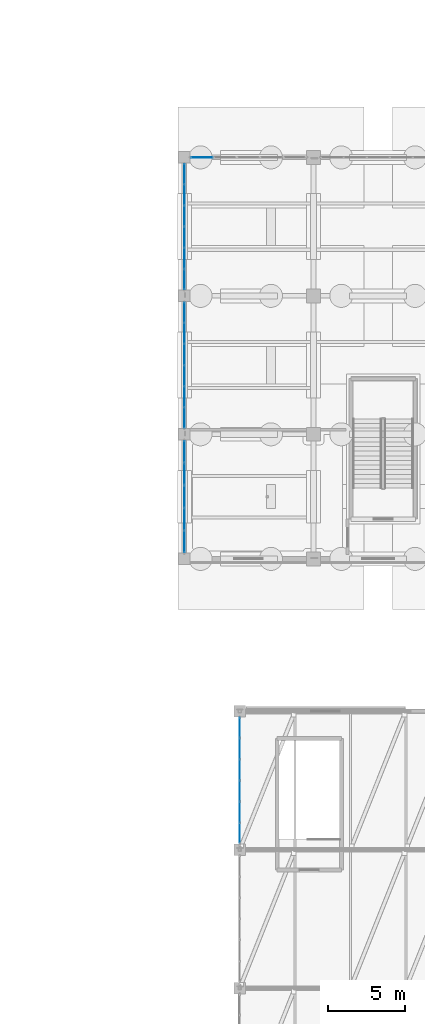
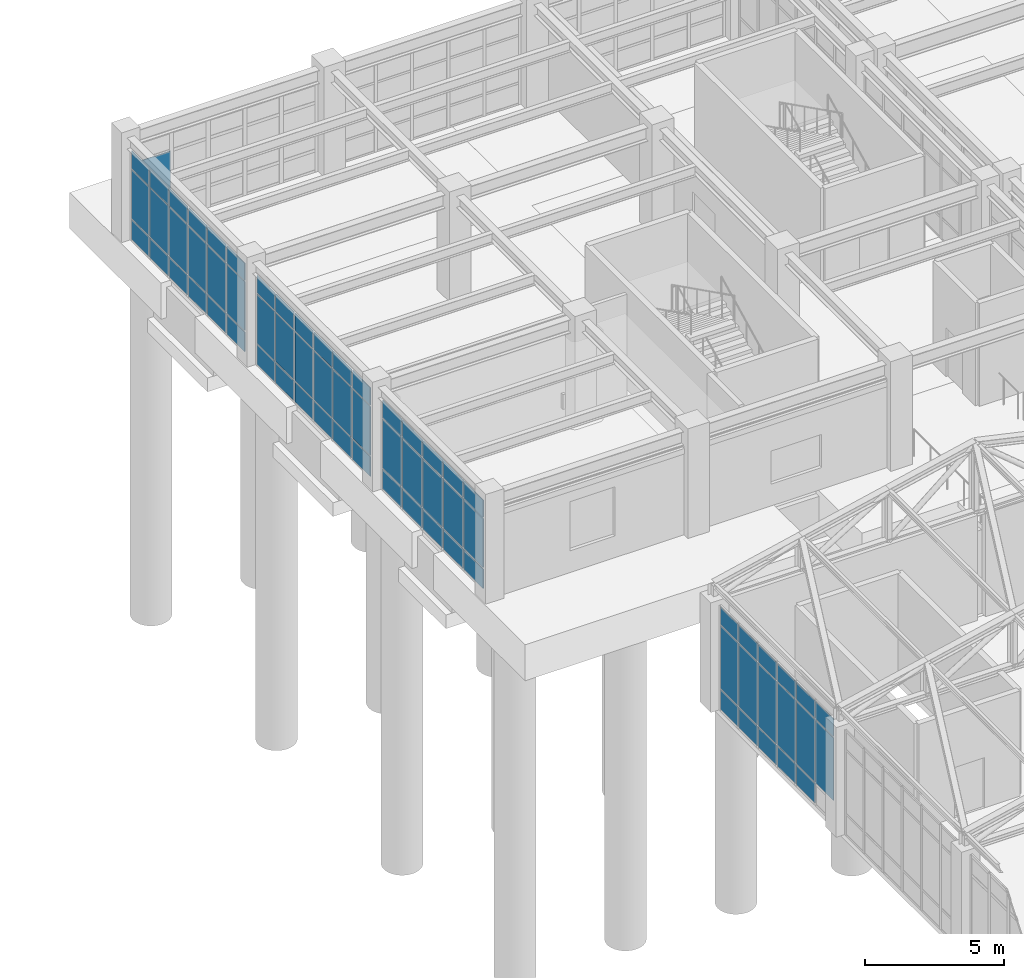
# One storey, part 99 of 139: 70 plates, 5 elements without a shape of their own.
"""IFC4 building model written with IfcOpenShell, lengths in metres."""

from ifc_helpers import new_model, si_unit, direction, frame, origin, origin_2d, place, context, subcontext, project, spatial, rectangle, extrude, material, layer, layer_set, type_object, element, aggregate, save


model = new_model("IFC4")

# Units and contexts
model_context = context("Model", 3, precision=1e-05, world=origin(), true_north=direction((0.0, 1.0)))
body_context = subcontext(model_context, "Body", "Model", "MODEL_VIEW")
ifc_project = project(units=[si_unit("LENGTHUNIT", "METRE"), si_unit("AREAUNIT", "SQUARE_METRE"), si_unit("VOLUMEUNIT", "CUBIC_METRE"), si_unit("PLANEANGLEUNIT", "RADIAN"), si_unit("MASSUNIT", "GRAM", prefix="KILO")], contexts=[model_context])

# Site, building, storey
site_placement = place(None, origin())
site = spatial("IfcSite", under=ifc_project, at=site_placement, CompositionType="ELEMENT")
building_placement = place(site_placement, origin())
building = spatial("IfcBuilding", under=site, at=building_placement, Name="Canglan Escarpment Cableway Terminal", CompositionType="ELEMENT")
storey_placement = place(building_placement, frame((0.0, 0.0, 14.39990234375)))
storey = spatial("IfcBuildingStorey", under=building, at=storey_placement, Name="L03", CompositionType="ELEMENT", Elevation=14.39990234375)

# Curtain wall, plates
ifc_material_1 = material(Name="Anodized bronze aluminium and Low-E double glazing", Category="aluminium")
curtain_wall_type_1 = type_object("IfcCurtainWallType", Name="CW-BAY-8250x4000", PredefinedType="NOTDEFINED", material=ifc_material_1)
curtain_wall_1_placement = place(storey_placement, origin())
curtain_wall_1 = element("IfcCurtainWall", 1, at=curtain_wall_1_placement, inside=storey, type_object=curtain_wall_type_1, Name="Classical bay-between-piers glazed curtain wall CW-48", PredefinedType="NOTDEFINED")
ifc_material_2 = material(Name="Double-silver Low-E laminated insulating glass", Category="glass")
ifc_layer_1 = layer(ifc_material_2, 0.02392578125, Name="Double-silver Low-E laminated insulating glass")
ifc_layer_set_1 = layer_set([ifc_layer_1], Name="Double-silver Low-E laminated insulating glass")
plate_type_1 = type_object("IfcPlateType", Name="CWP-01", PredefinedType="CURTAIN_PANEL", material=ifc_layer_set_1)
plate_1_placement = place(storey_placement, frame((111.5, 104.922607421875, 0.05517578125), z_axis=(0.0, 0.0, 1.0), x_axis=(0.0, -1.0, 0.0)))
plate_1 = element("IfcPlate", 2, at=plate_1_placement, type_object=plate_type_1, Name="CW-48 panel 1.1", PredefinedType="CURTAIN_PANEL", context=body_context, shape_type="SweptSolid", body=[
    extrude(rectangle(XDim=1.284912109375, YDim=0.02392578125, at=origin_2d()), origin(), (0.0, 0.0, 1.0), 0.867431640625),
])
plate_2_placement = place(storey_placement, frame((111.5, 104.922607421875, 0.9775390625), z_axis=(0.0, 0.0, 1.0), x_axis=(0.0, -1.0, 0.0)))
plate_2 = element("IfcPlate", 3, at=plate_2_placement, type_object=plate_type_1, Name="CW-48 panel 1.2", PredefinedType="CURTAIN_PANEL", context=body_context, shape_type="SweptSolid", body=[
    extrude(rectangle(XDim=1.284912109375, YDim=0.02392578125, at=origin_2d()), origin(), (0.0, 0.0, 1.0), 2.14208984375),
])
plate_3_placement = place(storey_placement, frame((111.5, 104.922607421875, 3.174560546875), z_axis=(0.0, 0.0, 1.0), x_axis=(0.0, -1.0, 0.0)))
plate_3 = element("IfcPlate", 4, at=plate_3_placement, type_object=plate_type_1, Name="CW-48 panel 1.3", PredefinedType="CURTAIN_PANEL", context=body_context, shape_type="SweptSolid", body=[
    extrude(rectangle(XDim=1.284912109375, YDim=0.02392578125, at=origin_2d()), origin(), (0.0, 0.0, 1.0), 0.767578125),
])
plate_4_placement = place(storey_placement, frame((111.5, 103.5625, 0.05517578125), z_axis=(0.0, 0.0, 1.0), x_axis=(0.0, -1.0, 0.0)))
plate_4 = element("IfcPlate", 5, at=plate_4_placement, type_object=plate_type_1, Name="CW-48 panel 2.1", PredefinedType="CURTAIN_PANEL", context=body_context, shape_type="SweptSolid", body=[
    extrude(rectangle(XDim=1.31494140625, YDim=0.02392578125, at=origin_2d()), origin(), (0.0, 0.0, 1.0), 0.867431640625),
])
plate_5_placement = place(storey_placement, frame((111.5, 103.5625, 0.9775390625), z_axis=(0.0, 0.0, 1.0), x_axis=(0.0, -1.0, 0.0)))
plate_5 = element("IfcPlate", 6, at=plate_5_placement, type_object=plate_type_1, Name="CW-48 panel 2.2", PredefinedType="CURTAIN_PANEL", context=body_context, shape_type="SweptSolid", body=[
    extrude(rectangle(XDim=1.31494140625, YDim=0.02392578125, at=origin_2d()), origin(), (0.0, 0.0, 1.0), 2.14208984375),
])
plate_6_placement = place(storey_placement, frame((111.5, 103.5625, 3.174560546875), z_axis=(0.0, 0.0, 1.0), x_axis=(0.0, -1.0, 0.0)))
plate_6 = element("IfcPlate", 7, at=plate_6_placement, type_object=plate_type_1, Name="CW-48 panel 2.3", PredefinedType="CURTAIN_PANEL", context=body_context, shape_type="SweptSolid", body=[
    extrude(rectangle(XDim=1.31494140625, YDim=0.02392578125, at=origin_2d()), origin(), (0.0, 0.0, 1.0), 0.767578125),
])
plate_7_placement = place(storey_placement, frame((111.5, 102.1875, 0.05517578125), z_axis=(0.0, 0.0, 1.0), x_axis=(0.0, -1.0, 0.0)))
plate_7 = element("IfcPlate", 8, at=plate_7_placement, type_object=plate_type_1, Name="CW-48 panel 3.1", PredefinedType="CURTAIN_PANEL", context=body_context, shape_type="SweptSolid", body=[
    extrude(rectangle(XDim=1.31494140625, YDim=0.02392578125, at=origin_2d()), origin(), (0.0, 0.0, 1.0), 0.867431640625),
])
plate_8_placement = place(storey_placement, frame((111.5, 102.1875, 0.9775390625), z_axis=(0.0, 0.0, 1.0), x_axis=(0.0, -1.0, 0.0)))
plate_8 = element("IfcPlate", 9, at=plate_8_placement, type_object=plate_type_1, Name="CW-48 panel 3.2", PredefinedType="CURTAIN_PANEL", context=body_context, shape_type="SweptSolid", body=[
    extrude(rectangle(XDim=1.31494140625, YDim=0.02392578125, at=origin_2d()), origin(), (0.0, 0.0, 1.0), 2.14208984375),
])
plate_9_placement = place(storey_placement, frame((111.5, 102.1875, 3.174560546875), z_axis=(0.0, 0.0, 1.0), x_axis=(0.0, -1.0, 0.0)))
plate_9 = element("IfcPlate", 10, at=plate_9_placement, type_object=plate_type_1, Name="CW-48 panel 3.3", PredefinedType="CURTAIN_PANEL", context=body_context, shape_type="SweptSolid", body=[
    extrude(rectangle(XDim=1.31494140625, YDim=0.02392578125, at=origin_2d()), origin(), (0.0, 0.0, 1.0), 0.767578125),
])
plate_10_placement = place(storey_placement, frame((111.5, 100.8125, 0.05517578125), z_axis=(0.0, 0.0, 1.0), x_axis=(0.0, -1.0, 0.0)))
plate_10 = element("IfcPlate", 11, at=plate_10_placement, type_object=plate_type_1, Name="CW-48 panel 4.1", PredefinedType="CURTAIN_PANEL", context=body_context, shape_type="SweptSolid", body=[
    extrude(rectangle(XDim=1.31494140625, YDim=0.02392578125, at=origin_2d()), origin(), (0.0, 0.0, 1.0), 0.867431640625),
])
plate_11_placement = place(storey_placement, frame((111.5, 100.8125, 0.9775390625), z_axis=(0.0, 0.0, 1.0), x_axis=(0.0, -1.0, 0.0)))
plate_11 = element("IfcPlate", 12, at=plate_11_placement, type_object=plate_type_1, Name="CW-48 panel 4.2", PredefinedType="CURTAIN_PANEL", context=body_context, shape_type="SweptSolid", body=[
    extrude(rectangle(XDim=1.31494140625, YDim=0.02392578125, at=origin_2d()), origin(), (0.0, 0.0, 1.0), 2.14208984375),
])
plate_12_placement = place(storey_placement, frame((111.5, 100.8125, 3.174560546875), z_axis=(0.0, 0.0, 1.0), x_axis=(0.0, -1.0, 0.0)))
plate_12 = element("IfcPlate", 13, at=plate_12_placement, type_object=plate_type_1, Name="CW-48 panel 4.3", PredefinedType="CURTAIN_PANEL", context=body_context, shape_type="SweptSolid", body=[
    extrude(rectangle(XDim=1.31494140625, YDim=0.02392578125, at=origin_2d()), origin(), (0.0, 0.0, 1.0), 0.767578125),
])
plate_13_placement = place(storey_placement, frame((111.5, 99.4375, 0.05517578125), z_axis=(0.0, 0.0, 1.0), x_axis=(0.0, -1.0, 0.0)))
plate_13 = element("IfcPlate", 14, at=plate_13_placement, type_object=plate_type_1, Name="CW-48 panel 5.1", PredefinedType="CURTAIN_PANEL", context=body_context, shape_type="SweptSolid", body=[
    extrude(rectangle(XDim=1.31494140625, YDim=0.02392578125, at=origin_2d()), origin(), (0.0, 0.0, 1.0), 0.867431640625),
])
plate_14_placement = place(storey_placement, frame((111.5, 99.4375, 0.9775390625), z_axis=(0.0, 0.0, 1.0), x_axis=(0.0, -1.0, 0.0)))
plate_14 = element("IfcPlate", 15, at=plate_14_placement, type_object=plate_type_1, Name="CW-48 panel 5.2", PredefinedType="CURTAIN_PANEL", context=body_context, shape_type="SweptSolid", body=[
    extrude(rectangle(XDim=1.31494140625, YDim=0.02392578125, at=origin_2d()), origin(), (0.0, 0.0, 1.0), 2.14208984375),
])
plate_15_placement = place(storey_placement, frame((111.5, 99.4375, 3.174560546875), z_axis=(0.0, 0.0, 1.0), x_axis=(0.0, -1.0, 0.0)))
plate_15 = element("IfcPlate", 16, at=plate_15_placement, type_object=plate_type_1, Name="CW-48 panel 5.3", PredefinedType="CURTAIN_PANEL", context=body_context, shape_type="SweptSolid", body=[
    extrude(rectangle(XDim=1.31494140625, YDim=0.02392578125, at=origin_2d()), origin(), (0.0, 0.0, 1.0), 0.767578125),
])
plate_16_placement = place(storey_placement, frame((111.5, 98.077392578125, 0.05517578125), z_axis=(0.0, 0.0, 1.0), x_axis=(0.0, -1.0, 0.0)))
plate_16 = element("IfcPlate", 17, at=plate_16_placement, type_object=plate_type_1, Name="CW-48 panel 6.1", PredefinedType="CURTAIN_PANEL", context=body_context, shape_type="SweptSolid", body=[
    extrude(rectangle(XDim=1.284912109375, YDim=0.02392578125, at=origin_2d()), origin(), (0.0, 0.0, 1.0), 0.867431640625),
])
plate_17_placement = place(storey_placement, frame((111.5, 98.077392578125, 0.9775390625), z_axis=(0.0, 0.0, 1.0), x_axis=(0.0, -1.0, 0.0)))
plate_17 = element("IfcPlate", 18, at=plate_17_placement, type_object=plate_type_1, Name="CW-48 panel 6.2", PredefinedType="CURTAIN_PANEL", context=body_context, shape_type="SweptSolid", body=[
    extrude(rectangle(XDim=1.284912109375, YDim=0.02392578125, at=origin_2d()), origin(), (0.0, 0.0, 1.0), 2.14208984375),
])
plate_18_placement = place(storey_placement, frame((111.5, 98.077392578125, 3.174560546875), z_axis=(0.0, 0.0, 1.0), x_axis=(0.0, -1.0, 0.0)))
plate_18 = element("IfcPlate", 19, at=plate_18_placement, type_object=plate_type_1, Name="CW-48 panel 6.3", PredefinedType="CURTAIN_PANEL", context=body_context, shape_type="SweptSolid", body=[
    extrude(rectangle(XDim=1.284912109375, YDim=0.02392578125, at=origin_2d()), origin(), (0.0, 0.0, 1.0), 0.767578125),
])
aggregate(curtain_wall_1, [plate_1, plate_2, plate_3, plate_4, plate_5, plate_6, plate_7, plate_8, plate_9, plate_10, plate_11, plate_12, plate_13, plate_14, plate_15, plate_16, plate_17, plate_18])

curtain_wall_type_2 = type_object("IfcCurtainWallType", Name="CW-BAY-8250x4600", PredefinedType="NOTDEFINED", material=ifc_material_1)
curtain_wall_2_placement = place(storey_placement, origin())
curtain_wall_2 = element("IfcCurtainWall", 20, at=curtain_wall_2_placement, inside=storey, type_object=curtain_wall_type_2, Name="Classical bay-between-piers glazed curtain wall CW-46", PredefinedType="NOTDEFINED")
ifc_layer_2 = layer(ifc_material_2, 0.028076171875, Name="Double-silver Low-E laminated insulating glass")
ifc_layer_set_2 = layer_set([ifc_layer_2], Name="Double-silver Low-E laminated insulating glass")
plate_type_2 = type_object("IfcPlateType", Name="CWP-02", PredefinedType="CURTAIN_PANEL", material=ifc_layer_set_2)
plate_19_placement = place(storey_placement, frame((115.10009765625, 77.921142578125, 0.06005859375), z_axis=(0.0, 0.0, 1.0), x_axis=(0.0, -1.0, 0.0)))
plate_19 = element("IfcPlate", 21, at=plate_19_placement, type_object=plate_type_2, Name="CW-46 panel 1.1", PredefinedType="CURTAIN_PANEL", context=body_context, shape_type="SweptSolid", body=[
    extrude(rectangle(XDim=1.277587890625, YDim=0.028076171875, at=origin_2d()), origin(), (0.0, 0.0, 1.0), 0.860107421875),
])
plate_20_placement = place(storey_placement, frame((115.10009765625, 77.921142578125, 0.97998046875), z_axis=(0.0, 0.0, 1.0), x_axis=(0.0, -1.0, 0.0)))
plate_20 = element("IfcPlate", 22, at=plate_20_placement, type_object=plate_type_2, Name="CW-46 panel 1.2", PredefinedType="CURTAIN_PANEL", context=body_context, shape_type="SweptSolid", body=[
    extrude(rectangle(XDim=1.277587890625, YDim=0.028076171875, at=origin_2d()), origin(), (0.0, 0.0, 1.0), 2.739990234375),
])
plate_21_placement = place(storey_placement, frame((115.10009765625, 77.921142578125, 3.7802734375), z_axis=(0.0, 0.0, 1.0), x_axis=(0.0, -1.0, 0.0)))
plate_21 = element("IfcPlate", 23, at=plate_21_placement, type_object=plate_type_2, Name="CW-46 panel 1.3", PredefinedType="CURTAIN_PANEL", context=body_context, shape_type="SweptSolid", body=[
    extrude(rectangle(XDim=1.277587890625, YDim=0.028076171875, at=origin_2d()), origin(), (0.0, 0.0, 1.0), 0.760009765625),
])
plate_22_placement = place(storey_placement, frame((115.10009765625, 76.5625, 0.06005859375), z_axis=(0.0, 0.0, 1.0), x_axis=(0.0, -1.0, 0.0)))
plate_22 = element("IfcPlate", 24, at=plate_22_placement, type_object=plate_type_2, Name="CW-46 panel 2.1", PredefinedType="CURTAIN_PANEL", context=body_context, shape_type="SweptSolid", body=[
    extrude(rectangle(XDim=1.31005859375, YDim=0.028076171875, at=origin_2d()), origin(), (0.0, 0.0, 1.0), 0.860107421875),
])
plate_23_placement = place(storey_placement, frame((115.10009765625, 76.5625, 0.97998046875), z_axis=(0.0, 0.0, 1.0), x_axis=(0.0, -1.0, 0.0)))
plate_23 = element("IfcPlate", 25, at=plate_23_placement, type_object=plate_type_2, Name="CW-46 panel 2.2", PredefinedType="CURTAIN_PANEL", context=body_context, shape_type="SweptSolid", body=[
    extrude(rectangle(XDim=1.31005859375, YDim=0.028076171875, at=origin_2d()), origin(), (0.0, 0.0, 1.0), 2.739990234375),
])
plate_24_placement = place(storey_placement, frame((115.10009765625, 76.5625, 3.7802734375), z_axis=(0.0, 0.0, 1.0), x_axis=(0.0, -1.0, 0.0)))
plate_24 = element("IfcPlate", 26, at=plate_24_placement, type_object=plate_type_2, Name="CW-46 panel 2.3", PredefinedType="CURTAIN_PANEL", context=body_context, shape_type="SweptSolid", body=[
    extrude(rectangle(XDim=1.31005859375, YDim=0.028076171875, at=origin_2d()), origin(), (0.0, 0.0, 1.0), 0.760009765625),
])
plate_25_placement = place(storey_placement, frame((115.10009765625, 75.1875, 0.06005859375), z_axis=(0.0, 0.0, 1.0), x_axis=(0.0, -1.0, 0.0)))
plate_25 = element("IfcPlate", 27, at=plate_25_placement, type_object=plate_type_2, Name="CW-46 panel 3.1", PredefinedType="CURTAIN_PANEL", context=body_context, shape_type="SweptSolid", body=[
    extrude(rectangle(XDim=1.31005859375, YDim=0.028076171875, at=origin_2d()), origin(), (0.0, 0.0, 1.0), 0.860107421875),
])
plate_26_placement = place(storey_placement, frame((115.10009765625, 75.1875, 0.97998046875), z_axis=(0.0, 0.0, 1.0), x_axis=(0.0, -1.0, 0.0)))
plate_26 = element("IfcPlate", 28, at=plate_26_placement, type_object=plate_type_2, Name="CW-46 panel 3.2", PredefinedType="CURTAIN_PANEL", context=body_context, shape_type="SweptSolid", body=[
    extrude(rectangle(XDim=1.31005859375, YDim=0.028076171875, at=origin_2d()), origin(), (0.0, 0.0, 1.0), 2.739990234375),
])
plate_27_placement = place(storey_placement, frame((115.10009765625, 75.1875, 3.7802734375), z_axis=(0.0, 0.0, 1.0), x_axis=(0.0, -1.0, 0.0)))
plate_27 = element("IfcPlate", 29, at=plate_27_placement, type_object=plate_type_2, Name="CW-46 panel 3.3", PredefinedType="CURTAIN_PANEL", context=body_context, shape_type="SweptSolid", body=[
    extrude(rectangle(XDim=1.31005859375, YDim=0.028076171875, at=origin_2d()), origin(), (0.0, 0.0, 1.0), 0.760009765625),
])
plate_28_placement = place(storey_placement, frame((115.10009765625, 73.8125, 0.06005859375), z_axis=(0.0, 0.0, 1.0), x_axis=(0.0, -1.0, 0.0)))
plate_28 = element("IfcPlate", 30, at=plate_28_placement, type_object=plate_type_2, Name="CW-46 panel 4.1", PredefinedType="CURTAIN_PANEL", context=body_context, shape_type="SweptSolid", body=[
    extrude(rectangle(XDim=1.31005859375, YDim=0.028076171875, at=origin_2d()), origin(), (0.0, 0.0, 1.0), 0.860107421875),
])
plate_29_placement = place(storey_placement, frame((115.10009765625, 73.8125, 0.97998046875), z_axis=(0.0, 0.0, 1.0), x_axis=(0.0, -1.0, 0.0)))
plate_29 = element("IfcPlate", 31, at=plate_29_placement, type_object=plate_type_2, Name="CW-46 panel 4.2", PredefinedType="CURTAIN_PANEL", context=body_context, shape_type="SweptSolid", body=[
    extrude(rectangle(XDim=1.31005859375, YDim=0.028076171875, at=origin_2d()), origin(), (0.0, 0.0, 1.0), 2.739990234375),
])
plate_30_placement = place(storey_placement, frame((115.10009765625, 73.8125, 3.7802734375), z_axis=(0.0, 0.0, 1.0), x_axis=(0.0, -1.0, 0.0)))
plate_30 = element("IfcPlate", 32, at=plate_30_placement, type_object=plate_type_2, Name="CW-46 panel 4.3", PredefinedType="CURTAIN_PANEL", context=body_context, shape_type="SweptSolid", body=[
    extrude(rectangle(XDim=1.31005859375, YDim=0.028076171875, at=origin_2d()), origin(), (0.0, 0.0, 1.0), 0.760009765625),
])
plate_31_placement = place(storey_placement, frame((115.10009765625, 72.4375, 0.06005859375), z_axis=(0.0, 0.0, 1.0), x_axis=(0.0, -1.0, 0.0)))
plate_31 = element("IfcPlate", 33, at=plate_31_placement, type_object=plate_type_2, Name="CW-46 panel 5.1", PredefinedType="CURTAIN_PANEL", context=body_context, shape_type="SweptSolid", body=[
    extrude(rectangle(XDim=1.31005859375, YDim=0.028076171875, at=origin_2d()), origin(), (0.0, 0.0, 1.0), 0.860107421875),
])
plate_32_placement = place(storey_placement, frame((115.10009765625, 72.4375, 0.97998046875), z_axis=(0.0, 0.0, 1.0), x_axis=(0.0, -1.0, 0.0)))
plate_32 = element("IfcPlate", 34, at=plate_32_placement, type_object=plate_type_2, Name="CW-46 panel 5.2", PredefinedType="CURTAIN_PANEL", context=body_context, shape_type="SweptSolid", body=[
    extrude(rectangle(XDim=1.31005859375, YDim=0.028076171875, at=origin_2d()), origin(), (0.0, 0.0, 1.0), 2.739990234375),
])
plate_33_placement = place(storey_placement, frame((115.10009765625, 72.4375, 3.7802734375), z_axis=(0.0, 0.0, 1.0), x_axis=(0.0, -1.0, 0.0)))
plate_33 = element("IfcPlate", 35, at=plate_33_placement, type_object=plate_type_2, Name="CW-46 panel 5.3", PredefinedType="CURTAIN_PANEL", context=body_context, shape_type="SweptSolid", body=[
    extrude(rectangle(XDim=1.31005859375, YDim=0.028076171875, at=origin_2d()), origin(), (0.0, 0.0, 1.0), 0.760009765625),
])
plate_34_placement = place(storey_placement, frame((115.10009765625, 71.078857421875, 0.97998046875), z_axis=(0.0, 0.0, 1.0), x_axis=(0.0, -1.0, 0.0)))
plate_34 = element("IfcPlate", 36, at=plate_34_placement, type_object=plate_type_2, Name="CW-46 panel 6.2", PredefinedType="CURTAIN_PANEL", context=body_context, shape_type="SweptSolid", body=[
    extrude(rectangle(XDim=1.277587890625, YDim=0.028076171875, at=origin_2d()), origin(), (0.0, 0.0, 1.0), 2.739990234375),
])
plate_35_placement = place(storey_placement, frame((115.10009765625, 71.078857421875, 3.7802734375), z_axis=(0.0, 0.0, 1.0), x_axis=(0.0, -1.0, 0.0)))
plate_35 = element("IfcPlate", 37, at=plate_35_placement, type_object=plate_type_2, Name="CW-46 panel 6.3", PredefinedType="CURTAIN_PANEL", context=body_context, shape_type="SweptSolid", body=[
    extrude(rectangle(XDim=1.277587890625, YDim=0.028076171875, at=origin_2d()), origin(), (0.0, 0.0, 1.0), 0.760009765625),
])
aggregate(curtain_wall_2, [plate_19, plate_20, plate_21, plate_22, plate_23, plate_24, plate_25, plate_26, plate_27, plate_28, plate_29, plate_30, plate_31, plate_32, plate_33, plate_34, plate_35])

curtain_wall_3_placement = place(storey_placement, origin())
curtain_wall_3 = element("IfcCurtainWall", 38, at=curtain_wall_3_placement, inside=storey, type_object=curtain_wall_type_1, Name="Classical bay-between-piers glazed curtain wall CW-48", PredefinedType="NOTDEFINED")
plate_36_placement = place(storey_placement, frame((111.5, 113.921142578125, 0.06005859375), z_axis=(0.0, 0.0, 1.0), x_axis=(0.0, -1.0, 0.0)))
plate_36 = element("IfcPlate", 39, at=plate_36_placement, type_object=plate_type_2, Name="CW-48 panel 1.1", PredefinedType="CURTAIN_PANEL", context=body_context, shape_type="SweptSolid", body=[
    extrude(rectangle(XDim=1.277587890625, YDim=0.028076171875, at=origin_2d()), origin(), (0.0, 0.0, 1.0), 0.860107421875),
])
plate_37_placement = place(storey_placement, frame((111.5, 113.921142578125, 0.97998046875), z_axis=(0.0, 0.0, 1.0), x_axis=(0.0, -1.0, 0.0)))
plate_37 = element("IfcPlate", 40, at=plate_37_placement, type_object=plate_type_2, Name="CW-48 panel 1.2", PredefinedType="CURTAIN_PANEL", context=body_context, shape_type="SweptSolid", body=[
    extrude(rectangle(XDim=1.277587890625, YDim=0.028076171875, at=origin_2d()), origin(), (0.0, 0.0, 1.0), 2.136962890625),
])
plate_38_placement = place(storey_placement, frame((111.5, 113.921142578125, 3.17724609375), z_axis=(0.0, 0.0, 1.0), x_axis=(0.0, -1.0, 0.0)))
plate_38 = element("IfcPlate", 41, at=plate_38_placement, type_object=plate_type_2, Name="CW-48 panel 1.3", PredefinedType="CURTAIN_PANEL", context=body_context, shape_type="SweptSolid", body=[
    extrude(rectangle(XDim=1.277587890625, YDim=0.028076171875, at=origin_2d()), origin(), (0.0, 0.0, 1.0), 0.760009765625),
])
plate_39_placement = place(storey_placement, frame((111.5, 112.5625, 0.06005859375), z_axis=(0.0, 0.0, 1.0), x_axis=(0.0, -1.0, 0.0)))
plate_39 = element("IfcPlate", 42, at=plate_39_placement, type_object=plate_type_2, Name="CW-48 panel 2.1", PredefinedType="CURTAIN_PANEL", context=body_context, shape_type="SweptSolid", body=[
    extrude(rectangle(XDim=1.31005859375, YDim=0.028076171875, at=origin_2d()), origin(), (0.0, 0.0, 1.0), 0.860107421875),
])
plate_40_placement = place(storey_placement, frame((111.5, 112.5625, 0.97998046875), z_axis=(0.0, 0.0, 1.0), x_axis=(0.0, -1.0, 0.0)))
plate_40 = element("IfcPlate", 43, at=plate_40_placement, type_object=plate_type_2, Name="CW-48 panel 2.2", PredefinedType="CURTAIN_PANEL", context=body_context, shape_type="SweptSolid", body=[
    extrude(rectangle(XDim=1.31005859375, YDim=0.028076171875, at=origin_2d()), origin(), (0.0, 0.0, 1.0), 2.136962890625),
])
plate_41_placement = place(storey_placement, frame((111.5, 112.5625, 3.17724609375), z_axis=(0.0, 0.0, 1.0), x_axis=(0.0, -1.0, 0.0)))
plate_41 = element("IfcPlate", 44, at=plate_41_placement, type_object=plate_type_2, Name="CW-48 panel 2.3", PredefinedType="CURTAIN_PANEL", context=body_context, shape_type="SweptSolid", body=[
    extrude(rectangle(XDim=1.31005859375, YDim=0.028076171875, at=origin_2d()), origin(), (0.0, 0.0, 1.0), 0.760009765625),
])
plate_42_placement = place(storey_placement, frame((111.5, 111.1875, 0.06005859375), z_axis=(0.0, 0.0, 1.0), x_axis=(0.0, -1.0, 0.0)))
plate_42 = element("IfcPlate", 45, at=plate_42_placement, type_object=plate_type_2, Name="CW-48 panel 3.1", PredefinedType="CURTAIN_PANEL", context=body_context, shape_type="SweptSolid", body=[
    extrude(rectangle(XDim=1.31005859375, YDim=0.028076171875, at=origin_2d()), origin(), (0.0, 0.0, 1.0), 0.860107421875),
])
plate_43_placement = place(storey_placement, frame((111.5, 111.1875, 0.97998046875), z_axis=(0.0, 0.0, 1.0), x_axis=(0.0, -1.0, 0.0)))
plate_43 = element("IfcPlate", 46, at=plate_43_placement, type_object=plate_type_2, Name="CW-48 panel 3.2", PredefinedType="CURTAIN_PANEL", context=body_context, shape_type="SweptSolid", body=[
    extrude(rectangle(XDim=1.31005859375, YDim=0.028076171875, at=origin_2d()), origin(), (0.0, 0.0, 1.0), 2.136962890625),
])
plate_44_placement = place(storey_placement, frame((111.5, 111.1875, 3.17724609375), z_axis=(0.0, 0.0, 1.0), x_axis=(0.0, -1.0, 0.0)))
plate_44 = element("IfcPlate", 47, at=plate_44_placement, type_object=plate_type_2, Name="CW-48 panel 3.3", PredefinedType="CURTAIN_PANEL", context=body_context, shape_type="SweptSolid", body=[
    extrude(rectangle(XDim=1.31005859375, YDim=0.028076171875, at=origin_2d()), origin(), (0.0, 0.0, 1.0), 0.760009765625),
])
plate_45_placement = place(storey_placement, frame((111.5, 109.8125, 0.06005859375), z_axis=(0.0, 0.0, 1.0), x_axis=(0.0, -1.0, 0.0)))
plate_45 = element("IfcPlate", 48, at=plate_45_placement, type_object=plate_type_2, Name="CW-48 panel 4.1", PredefinedType="CURTAIN_PANEL", context=body_context, shape_type="SweptSolid", body=[
    extrude(rectangle(XDim=1.31005859375, YDim=0.028076171875, at=origin_2d()), origin(), (0.0, 0.0, 1.0), 0.860107421875),
])
plate_46_placement = place(storey_placement, frame((111.5, 109.8125, 0.97998046875), z_axis=(0.0, 0.0, 1.0), x_axis=(0.0, -1.0, 0.0)))
plate_46 = element("IfcPlate", 49, at=plate_46_placement, type_object=plate_type_2, Name="CW-48 panel 4.2", PredefinedType="CURTAIN_PANEL", context=body_context, shape_type="SweptSolid", body=[
    extrude(rectangle(XDim=1.31005859375, YDim=0.028076171875, at=origin_2d()), origin(), (0.0, 0.0, 1.0), 2.136962890625),
])
plate_47_placement = place(storey_placement, frame((111.5, 109.8125, 3.17724609375), z_axis=(0.0, 0.0, 1.0), x_axis=(0.0, -1.0, 0.0)))
plate_47 = element("IfcPlate", 50, at=plate_47_placement, type_object=plate_type_2, Name="CW-48 panel 4.3", PredefinedType="CURTAIN_PANEL", context=body_context, shape_type="SweptSolid", body=[
    extrude(rectangle(XDim=1.31005859375, YDim=0.028076171875, at=origin_2d()), origin(), (0.0, 0.0, 1.0), 0.760009765625),
])
plate_48_placement = place(storey_placement, frame((111.5, 108.4375, 0.06005859375), z_axis=(0.0, 0.0, 1.0), x_axis=(0.0, -1.0, 0.0)))
plate_48 = element("IfcPlate", 51, at=plate_48_placement, type_object=plate_type_2, Name="CW-48 panel 5.1", PredefinedType="CURTAIN_PANEL", context=body_context, shape_type="SweptSolid", body=[
    extrude(rectangle(XDim=1.31005859375, YDim=0.028076171875, at=origin_2d()), origin(), (0.0, 0.0, 1.0), 0.860107421875),
])
plate_49_placement = place(storey_placement, frame((111.5, 108.4375, 0.97998046875), z_axis=(0.0, 0.0, 1.0), x_axis=(0.0, -1.0, 0.0)))
plate_49 = element("IfcPlate", 52, at=plate_49_placement, type_object=plate_type_2, Name="CW-48 panel 5.2", PredefinedType="CURTAIN_PANEL", context=body_context, shape_type="SweptSolid", body=[
    extrude(rectangle(XDim=1.31005859375, YDim=0.028076171875, at=origin_2d()), origin(), (0.0, 0.0, 1.0), 2.136962890625),
])
plate_50_placement = place(storey_placement, frame((111.5, 108.4375, 3.17724609375), z_axis=(0.0, 0.0, 1.0), x_axis=(0.0, -1.0, 0.0)))
plate_50 = element("IfcPlate", 53, at=plate_50_placement, type_object=plate_type_2, Name="CW-48 panel 5.3", PredefinedType="CURTAIN_PANEL", context=body_context, shape_type="SweptSolid", body=[
    extrude(rectangle(XDim=1.31005859375, YDim=0.028076171875, at=origin_2d()), origin(), (0.0, 0.0, 1.0), 0.760009765625),
])
plate_51_placement = place(storey_placement, frame((111.5, 107.078857421875, 0.06005859375), z_axis=(0.0, 0.0, 1.0), x_axis=(0.0, -1.0, 0.0)))
plate_51 = element("IfcPlate", 54, at=plate_51_placement, type_object=plate_type_2, Name="CW-48 panel 6.1", PredefinedType="CURTAIN_PANEL", context=body_context, shape_type="SweptSolid", body=[
    extrude(rectangle(XDim=1.277587890625, YDim=0.028076171875, at=origin_2d()), origin(), (0.0, 0.0, 1.0), 0.860107421875),
])
plate_52_placement = place(storey_placement, frame((111.5, 107.078857421875, 0.97998046875), z_axis=(0.0, 0.0, 1.0), x_axis=(0.0, -1.0, 0.0)))
plate_52 = element("IfcPlate", 55, at=plate_52_placement, type_object=plate_type_2, Name="CW-48 panel 6.2", PredefinedType="CURTAIN_PANEL", context=body_context, shape_type="SweptSolid", body=[
    extrude(rectangle(XDim=1.277587890625, YDim=0.028076171875, at=origin_2d()), origin(), (0.0, 0.0, 1.0), 2.136962890625),
])
plate_53_placement = place(storey_placement, frame((111.5, 107.078857421875, 3.17724609375), z_axis=(0.0, 0.0, 1.0), x_axis=(0.0, -1.0, 0.0)))
plate_53 = element("IfcPlate", 56, at=plate_53_placement, type_object=plate_type_2, Name="CW-48 panel 6.3", PredefinedType="CURTAIN_PANEL", context=body_context, shape_type="SweptSolid", body=[
    extrude(rectangle(XDim=1.277587890625, YDim=0.028076171875, at=origin_2d()), origin(), (0.0, 0.0, 1.0), 0.760009765625),
])
aggregate(curtain_wall_3, [plate_36, plate_37, plate_38, plate_39, plate_40, plate_41, plate_42, plate_43, plate_44, plate_45, plate_46, plate_47, plate_48, plate_49, plate_50, plate_51, plate_52, plate_53])

curtain_wall_type_3 = type_object("IfcCurtainWallType", Name="CW-BAY-7575x3900", PredefinedType="NOTDEFINED", material=ifc_material_1)
curtain_wall_4_placement = place(storey_placement, origin())
curtain_wall_4 = element("IfcCurtainWall", 57, at=curtain_wall_4_placement, inside=storey, type_object=curtain_wall_type_3, Name="Classical bay-between-piers glazed curtain wall CW-49", PredefinedType="NOTDEFINED")
ifc_layer_3 = layer(ifc_material_2, 0.035888671875, Name="Double-silver Low-E laminated insulating glass")
ifc_layer_set_3 = layer_set([ifc_layer_3], Name="Double-silver Low-E laminated insulating glass")
plate_type_3 = type_object("IfcPlateType", Name="CWP-04", PredefinedType="CURTAIN_PANEL", material=ifc_layer_set_3)
plate_54_placement = place(storey_placement, frame((112.648681640625, 115.0, 0.065185546875), z_axis=(0.0, 0.0, 1.0), x_axis=(-1.0, 0.0, 0.0)))
plate_54 = element("IfcPlate", 58, at=plate_54_placement, type_object=plate_type_3, Name="CW-49 panel 5.1", PredefinedType="CURTAIN_PANEL", context=body_context, shape_type="SweptSolid", body=[
    extrude(rectangle(XDim=1.41748046875, YDim=0.035888671875, at=origin_2d()), origin(), (0.0, 0.0, 1.0), 0.8525390625),
])
plate_55_placement = place(storey_placement, frame((112.648681640625, 115.0, 0.982666015625), z_axis=(0.0, 0.0, 1.0), x_axis=(-1.0, 0.0, 0.0)))
plate_55 = element("IfcPlate", 59, at=plate_55_placement, type_object=plate_type_3, Name="CW-49 panel 5.2", PredefinedType="CURTAIN_PANEL", context=body_context, shape_type="SweptSolid", body=[
    extrude(rectangle(XDim=1.41748046875, YDim=0.035888671875, at=origin_2d()), origin(), (0.0, 0.0, 1.0), 2.02587890625),
])
aggregate(curtain_wall_4, [plate_54, plate_55])

curtain_wall_type_4 = type_object("IfcCurtainWallType", Name="CW-BAY-7350x4000", PredefinedType="NOTDEFINED", material=ifc_material_1)
curtain_wall_5_placement = place(storey_placement, origin())
curtain_wall_5 = element("IfcCurtainWall", 60, at=curtain_wall_5_placement, inside=storey, type_object=curtain_wall_type_4, Name="Classical bay-between-piers glazed curtain wall CW-47", PredefinedType="NOTDEFINED")
plate_56_placement = place(storey_placement, frame((111.5, 95.873779296875, 0.065185546875), z_axis=(0.0, 0.0, 1.0), x_axis=(0.0, -1.0, 0.0)))
plate_56 = element("IfcPlate", 61, at=plate_56_placement, type_object=plate_type_3, Name="CW-47 panel 1.1", PredefinedType="CURTAIN_PANEL", context=body_context, shape_type="SweptSolid", body=[
    extrude(rectangle(XDim=1.37255859375, YDim=0.035888671875, at=origin_2d()), origin(), (0.0, 0.0, 1.0), 0.8525390625),
])
plate_57_placement = place(storey_placement, frame((111.5, 95.873779296875, 0.982421875), z_axis=(0.0, 0.0, 1.0), x_axis=(0.0, -1.0, 0.0)))
plate_57 = element("IfcPlate", 62, at=plate_57_placement, type_object=plate_type_3, Name="CW-47 panel 1.2", PredefinedType="CURTAIN_PANEL", context=body_context, shape_type="SweptSolid", body=[
    extrude(rectangle(XDim=1.37255859375, YDim=0.035888671875, at=origin_2d()), origin(), (0.0, 0.0, 1.0), 2.132080078125),
])
plate_58_placement = place(storey_placement, frame((111.5, 95.873779296875, 3.1796875), z_axis=(0.0, 0.0, 1.0), x_axis=(0.0, -1.0, 0.0)))
plate_58 = element("IfcPlate", 63, at=plate_58_placement, type_object=plate_type_3, Name="CW-47 panel 1.3", PredefinedType="CURTAIN_PANEL", context=body_context, shape_type="SweptSolid", body=[
    extrude(rectangle(XDim=1.37255859375, YDim=0.035888671875, at=origin_2d()), origin(), (0.0, 0.0, 1.0), 0.75244140625),
])
plate_59_placement = place(storey_placement, frame((111.5, 94.419921875, 0.065185546875), z_axis=(0.0, 0.0, 1.0), x_axis=(0.0, -1.0, 0.0)))
plate_59 = element("IfcPlate", 64, at=plate_59_placement, type_object=plate_type_3, Name="CW-47 panel 2.1", PredefinedType="CURTAIN_PANEL", context=body_context, shape_type="SweptSolid", body=[
    extrude(rectangle(XDim=1.405029296875, YDim=0.035888671875, at=origin_2d()), origin(), (0.0, 0.0, 1.0), 0.8525390625),
])
plate_60_placement = place(storey_placement, frame((111.5, 94.419921875, 0.982421875), z_axis=(0.0, 0.0, 1.0), x_axis=(0.0, -1.0, 0.0)))
plate_60 = element("IfcPlate", 65, at=plate_60_placement, type_object=plate_type_3, Name="CW-47 panel 2.2", PredefinedType="CURTAIN_PANEL", context=body_context, shape_type="SweptSolid", body=[
    extrude(rectangle(XDim=1.405029296875, YDim=0.035888671875, at=origin_2d()), origin(), (0.0, 0.0, 1.0), 2.132080078125),
])
plate_61_placement = place(storey_placement, frame((111.5, 94.419921875, 3.1796875), z_axis=(0.0, 0.0, 1.0), x_axis=(0.0, -1.0, 0.0)))
plate_61 = element("IfcPlate", 66, at=plate_61_placement, type_object=plate_type_3, Name="CW-47 panel 2.3", PredefinedType="CURTAIN_PANEL", context=body_context, shape_type="SweptSolid", body=[
    extrude(rectangle(XDim=1.405029296875, YDim=0.035888671875, at=origin_2d()), origin(), (0.0, 0.0, 1.0), 0.75244140625),
])
plate_62_placement = place(storey_placement, frame((111.5, 92.949951171875, 0.065185546875), z_axis=(0.0, 0.0, 1.0), x_axis=(0.0, -1.0, 0.0)))
plate_62 = element("IfcPlate", 67, at=plate_62_placement, type_object=plate_type_3, Name="CW-47 panel 3.1", PredefinedType="CURTAIN_PANEL", context=body_context, shape_type="SweptSolid", body=[
    extrude(rectangle(XDim=1.405029296875, YDim=0.035888671875, at=origin_2d()), origin(), (0.0, 0.0, 1.0), 0.8525390625),
])
plate_63_placement = place(storey_placement, frame((111.5, 92.949951171875, 0.982421875), z_axis=(0.0, 0.0, 1.0), x_axis=(0.0, -1.0, 0.0)))
plate_63 = element("IfcPlate", 68, at=plate_63_placement, type_object=plate_type_3, Name="CW-47 panel 3.2", PredefinedType="CURTAIN_PANEL", context=body_context, shape_type="SweptSolid", body=[
    extrude(rectangle(XDim=1.405029296875, YDim=0.035888671875, at=origin_2d()), origin(), (0.0, 0.0, 1.0), 2.132080078125),
])
plate_64_placement = place(storey_placement, frame((111.5, 92.949951171875, 3.1796875), z_axis=(0.0, 0.0, 1.0), x_axis=(0.0, -1.0, 0.0)))
plate_64 = element("IfcPlate", 69, at=plate_64_placement, type_object=plate_type_3, Name="CW-47 panel 3.3", PredefinedType="CURTAIN_PANEL", context=body_context, shape_type="SweptSolid", body=[
    extrude(rectangle(XDim=1.405029296875, YDim=0.035888671875, at=origin_2d()), origin(), (0.0, 0.0, 1.0), 0.75244140625),
])
plate_65_placement = place(storey_placement, frame((111.5, 91.47998046875, 0.065185546875), z_axis=(0.0, 0.0, 1.0), x_axis=(0.0, -1.0, 0.0)))
plate_65 = element("IfcPlate", 70, at=plate_65_placement, type_object=plate_type_3, Name="CW-47 panel 4.1", PredefinedType="CURTAIN_PANEL", context=body_context, shape_type="SweptSolid", body=[
    extrude(rectangle(XDim=1.405029296875, YDim=0.035888671875, at=origin_2d()), origin(), (0.0, 0.0, 1.0), 0.8525390625),
])
plate_66_placement = place(storey_placement, frame((111.5, 91.47998046875, 0.982421875), z_axis=(0.0, 0.0, 1.0), x_axis=(0.0, -1.0, 0.0)))
plate_66 = element("IfcPlate", 71, at=plate_66_placement, type_object=plate_type_3, Name="CW-47 panel 4.2", PredefinedType="CURTAIN_PANEL", context=body_context, shape_type="SweptSolid", body=[
    extrude(rectangle(XDim=1.405029296875, YDim=0.035888671875, at=origin_2d()), origin(), (0.0, 0.0, 1.0), 2.132080078125),
])
plate_67_placement = place(storey_placement, frame((111.5, 91.47998046875, 3.1796875), z_axis=(0.0, 0.0, 1.0), x_axis=(0.0, -1.0, 0.0)))
plate_67 = element("IfcPlate", 72, at=plate_67_placement, type_object=plate_type_3, Name="CW-47 panel 4.3", PredefinedType="CURTAIN_PANEL", context=body_context, shape_type="SweptSolid", body=[
    extrude(rectangle(XDim=1.405029296875, YDim=0.035888671875, at=origin_2d()), origin(), (0.0, 0.0, 1.0), 0.75244140625),
])
plate_68_placement = place(storey_placement, frame((111.5, 90.0263671875, 0.065185546875), z_axis=(0.0, 0.0, 1.0), x_axis=(0.0, -1.0, 0.0)))
plate_68 = element("IfcPlate", 73, at=plate_68_placement, type_object=plate_type_3, Name="CW-47 panel 5.1", PredefinedType="CURTAIN_PANEL", context=body_context, shape_type="SweptSolid", body=[
    extrude(rectangle(XDim=1.37255859375, YDim=0.035888671875, at=origin_2d()), origin(), (0.0, 0.0, 1.0), 0.8525390625),
])
plate_69_placement = place(storey_placement, frame((111.5, 90.0263671875, 0.982421875), z_axis=(0.0, 0.0, 1.0), x_axis=(0.0, -1.0, 0.0)))
plate_69 = element("IfcPlate", 74, at=plate_69_placement, type_object=plate_type_3, Name="CW-47 panel 5.2", PredefinedType="CURTAIN_PANEL", context=body_context, shape_type="SweptSolid", body=[
    extrude(rectangle(XDim=1.37255859375, YDim=0.035888671875, at=origin_2d()), origin(), (0.0, 0.0, 1.0), 2.132080078125),
])
plate_70_placement = place(storey_placement, frame((111.5, 90.0263671875, 3.1796875), z_axis=(0.0, 0.0, 1.0), x_axis=(0.0, -1.0, 0.0)))
plate_70 = element("IfcPlate", 75, at=plate_70_placement, type_object=plate_type_3, Name="CW-47 panel 5.3", PredefinedType="CURTAIN_PANEL", context=body_context, shape_type="SweptSolid", body=[
    extrude(rectangle(XDim=1.37255859375, YDim=0.035888671875, at=origin_2d()), origin(), (0.0, 0.0, 1.0), 0.75244140625),
])
aggregate(curtain_wall_5, [plate_56, plate_57, plate_58, plate_59, plate_60, plate_61, plate_62, plate_63, plate_64, plate_65, plate_66, plate_67, plate_68, plate_69, plate_70])

save(model, "model.ifc")
